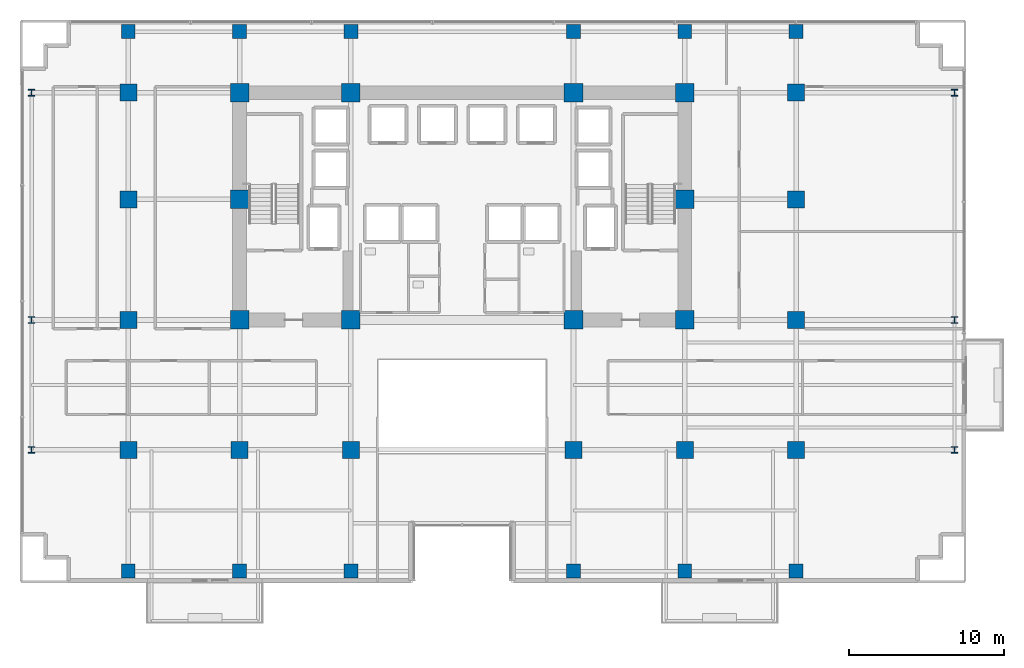
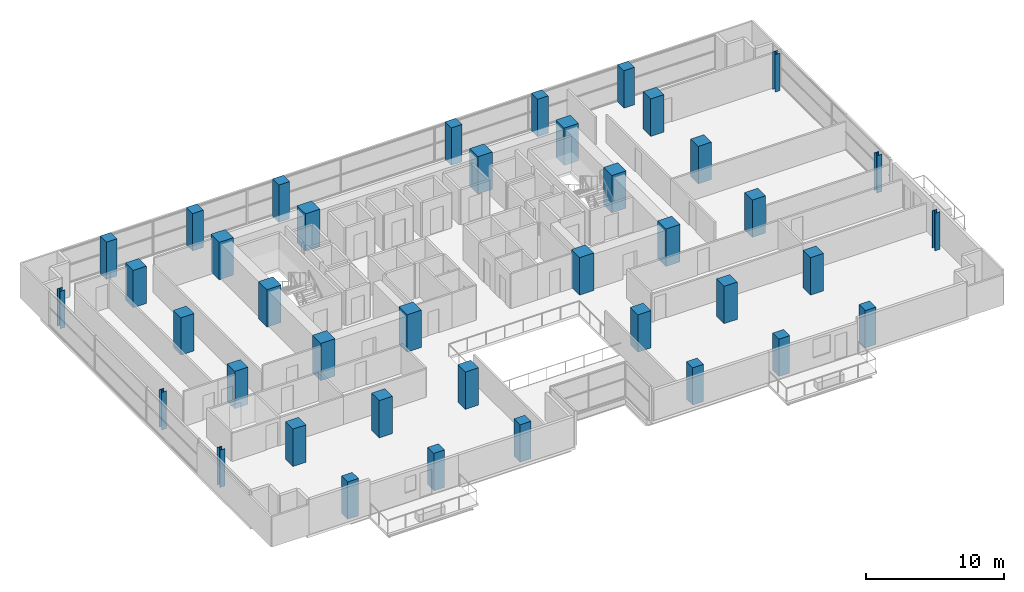
# One storey, part 1 of 26: 40 columns.
"""IFC4 building model written with IfcOpenShell, lengths in metres."""

from ifc_helpers import new_model, si_unit, direction, frame, origin, origin_2d, place, context, subcontext, project, spatial, rectangle, i_section, extrude, material, material_profile, profile_set, type_object, element, save


model = new_model("IFC4")

# Units and contexts
model_context = context("Model", 3, precision=1e-05, world=origin(), true_north=direction((0.0, 1.0)))
body_context = subcontext(model_context, "Body", "Model", "MODEL_VIEW")
ifc_project = project(units=[si_unit("LENGTHUNIT", "METRE"), si_unit("AREAUNIT", "SQUARE_METRE"), si_unit("VOLUMEUNIT", "CUBIC_METRE"), si_unit("PLANEANGLEUNIT", "RADIAN"), si_unit("MASSUNIT", "GRAM", prefix="KILO")], contexts=[model_context])

# Site, building, storey
site_placement = place(None, origin())
site = spatial("IfcSite", under=ifc_project, at=site_placement, CompositionType="ELEMENT")
building_placement = place(site_placement, origin())
building = spatial("IfcBuilding", under=site, at=building_placement, Name="Zarnakvel Exchange Tower", CompositionType="ELEMENT")
storey_placement = place(building_placement, frame((0.0, 0.0, 70.300048828125)))
storey = spatial("IfcBuildingStorey", under=building, at=storey_placement, Name="L19", CompositionType="ELEMENT", Elevation=70.300048828125)

# Columns
ifc_material_1 = material(Name="Concrete C80/95", Category="concrete")
ifc_material_profile_1 = material_profile(ifc_material_1, rectangle(XDim=1.199951171875, YDim=1.199951171875, at=origin_2d()))
ifc_profile_set_1 = profile_set([ifc_material_profile_1], Name="Concrete C80/95")
column_type_1 = type_object("IfcColumnType", Name="CC-01", PredefinedType="COLUMN", material=ifc_profile_set_1)
for number, where, z_axis, x_axis, name in (
    (1, (-14.39990234375, -1.199951171875, 0.0), (0.0, 0.0, 1.0), (1.0, 0.0, 0.0), "L19 Column C-4D (CC-01)"),
    (2, (-7.199951171875, -1.199951171875, 0.0), (0.0, 0.0, 1.0), (1.0, 0.0, 0.0), "L19 Column C-5D (CC-01)"),
    (3, (7.199951171875, -1.199951171875, 0.0), (0.0, 0.0, 1.0), (1.0, 0.0, 0.0), "L19 Column C-8D (CC-01)"),
    (4, (14.39990234375, -1.199951171875, 0.0), (0.0, 0.0, 1.0), (1.0, 0.0, 0.0), "L19 Column C-9D (CC-01)"),
    (5, (-14.39990234375, 6.60009765625, 0.0), (0.0, 0.0, 1.0), (1.0, 0.0, 0.0), "L19 Column C-4E (CC-01)"),
    (6, (14.39990234375, 6.60009765625, 0.0), (0.0, 0.0, 1.0), (1.0, 0.0, 0.0), "L19 Column C-9E (CC-01)"),
    (7, (-14.39990234375, 13.5, 0.0), (0.0, 0.0, 1.0), (1.0, 0.0, 0.0), "L19 Column C-4F (CC-01)"),
    (8, (-7.199951171875, 13.5, 0.0), (0.0, 0.0, 1.0), (1.0, 0.0, 0.0), "L19 Column C-5F (CC-01)"),
    (9, (7.199951171875, 13.5, 0.0), (0.0, 0.0, 1.0), (1.0, 0.0, 0.0), "L19 Column C-8F (CC-01)"),
    (10, (14.39990234375, 13.5, 0.0), (0.0, 0.0, 1.0), (1.0, 0.0, 0.0), "L19 Column C-9F (CC-01)"),
):
    element("IfcColumn", number, at=place(storey_placement, frame(where, z_axis=z_axis, x_axis=x_axis)), inside=storey, type_object=column_type_1, Name=name, PredefinedType="COLUMN", context=body_context, shape_type="SweptSolid", body=[
        extrude(rectangle(XDim=1.199951171875, YDim=1.199951171875, at=origin_2d()), origin(), (0.0, 0.0, 1.0), 3.300048828125),
    ])
ifc_material_2 = material(Name="Steel S355", Category="steel")
ifc_material_profile_2 = material_profile(ifc_material_2, i_section(OverallWidth=0.412109375, OverallDepth=0.425048828125, WebThickness=0.02587890625, FlangeThickness=0.0390625, FilletRadius=0.014892578125, at=origin_2d()))
ifc_profile_set_2 = profile_set([ifc_material_profile_2], Name="Steel S355")
column_type_2 = type_object("IfcColumnType", Name="SC-01", PredefinedType="COLUMN", material=ifc_profile_set_2)
for number, where, z_axis, x_axis, name in (
    (11, (-27.85009765625, -9.60009765625, 0.0), (0.0, 0.0, 1.0), (1.0, 0.0, 0.0), "L19 Column TW-C (SC-01)"),
    (12, (31.85009765625, -9.60009765625, 0.0), (0.0, 0.0, 1.0), (1.0, 0.0, 0.0), "L19 Column TE-C (SC-01)"),
    (13, (-27.85009765625, -1.199951171875, 0.0), (0.0, 0.0, 1.0), (1.0, 0.0, 0.0), "L19 Column TW-D (SC-01)"),
    (14, (31.85009765625, -1.199951171875, 0.0), (0.0, 0.0, 1.0), (1.0, 0.0, 0.0), "L19 Column TE-D (SC-01)"),
    (15, (-27.85009765625, 13.5, 0.0), (0.0, 0.0, 1.0), (1.0, 0.0, 0.0), "L19 Column TW-F (SC-01)"),
    (16, (31.85009765625, 13.5, 0.0), (0.0, 0.0, 1.0), (1.0, 0.0, 0.0), "L19 Column TE-F (SC-01)"),
):
    element("IfcColumn", number, at=place(storey_placement, frame(where, z_axis=z_axis, x_axis=x_axis)), inside=storey, type_object=column_type_2, Name=name, PredefinedType="COLUMN", context=body_context, shape_type="SweptSolid", body=[
        extrude(i_section(OverallWidth=0.412109375, OverallDepth=0.425048828125, WebThickness=0.02587890625, FlangeThickness=0.0390625, FilletRadius=0.014892578125, at=origin_2d()), origin(), (0.0, 0.0, 1.0), 3.300048828125),
    ])
ifc_material_profile_3 = material_profile(ifc_material_1, rectangle(XDim=1.10009765625, YDim=1.10009765625, at=origin_2d()))
ifc_profile_set_3 = profile_set([ifc_material_profile_3], Name="Concrete C80/95")
column_type_3 = type_object("IfcColumnType", Name="TC-01", PredefinedType="COLUMN", material=ifc_profile_set_3)
for number, where, z_axis, x_axis, name in (
    (17, (-14.39990234375, -9.60009765625, 0.0), (0.0, 0.0, 1.0), (1.0, 0.0, 0.0), "L19 Column T-4C (TC-01)"),
    (18, (-7.199951171875, -9.60009765625, 0.0), (0.0, 0.0, 1.0), (1.0, 0.0, 0.0), "L19 Column T-5C (TC-01)"),
    (19, (7.199951171875, -9.60009765625, 0.0), (0.0, 0.0, 1.0), (1.0, 0.0, 0.0), "L19 Column T-8C (TC-01)"),
    (20, (14.39990234375, -9.60009765625, 0.0), (0.0, 0.0, 1.0), (1.0, 0.0, 0.0), "L19 Column T-9C (TC-01)"),
    (21, (-21.60009765625, -9.60009765625, 0.0), (0.0, 0.0, 1.0), (1.0, 0.0, 0.0), "L19 Column T-3C (TC-01)"),
    (22, (-21.60009765625, -1.199951171875, 0.0), (0.0, 0.0, 1.0), (1.0, 0.0, 0.0), "L19 Column T-3D (TC-01)"),
    (23, (-21.60009765625, 6.60009765625, 0.0), (0.0, 0.0, 1.0), (1.0, 0.0, 0.0), "L19 Column T-3E (TC-01)"),
    (24, (-21.60009765625, 13.5, 0.0), (0.0, 0.0, 1.0), (1.0, 0.0, 0.0), "L19 Column T-3F (TC-01)"),
    (25, (21.60009765625, -9.60009765625, 0.0), (0.0, 0.0, 1.0), (1.0, 0.0, 0.0), "L19 Column T-10C (TC-01)"),
    (26, (21.60009765625, -1.199951171875, 0.0), (0.0, 0.0, 1.0), (1.0, 0.0, 0.0), "L19 Column T-10D (TC-01)"),
    (27, (21.60009765625, 6.60009765625, 0.0), (0.0, 0.0, 1.0), (1.0, 0.0, 0.0), "L19 Column T-10E (TC-01)"),
    (28, (21.60009765625, 13.5, 0.0), (0.0, 0.0, 1.0), (1.0, 0.0, 0.0), "L19 Column T-10F (TC-01)"),
):
    element("IfcColumn", number, at=place(storey_placement, frame(where, z_axis=z_axis, x_axis=x_axis)), inside=storey, type_object=column_type_3, Name=name, PredefinedType="COLUMN", context=body_context, shape_type="SweptSolid", body=[
        extrude(rectangle(XDim=1.10009765625, YDim=1.10009765625, at=origin_2d()), origin(), (0.0, 0.0, 1.0), 3.300048828125),
    ])
ifc_material_3 = material(Name="Concrete C60/75", Category="concrete")
ifc_material_profile_4 = material_profile(ifc_material_3, rectangle(XDim=0.89990234375, YDim=0.89990234375, at=origin_2d()))
ifc_profile_set_4 = profile_set([ifc_material_profile_4], Name="Concrete C60/75")
column_type_4 = type_object("IfcColumnType", Name="TC-02", PredefinedType="COLUMN", material=ifc_profile_set_4)
for number, where, z_axis, x_axis, name in (
    (29, (-14.39990234375, -17.449951171875, 0.0), (0.0, 0.0, 1.0), (1.0, 0.0, 0.0), "L19 Column TS-4 (TC-02)"),
    (30, (-14.39990234375, 17.449951171875, 0.0), (0.0, 0.0, 1.0), (1.0, 0.0, 0.0), "L19 Column TN-4 (TC-02)"),
    (31, (-7.199951171875, -17.449951171875, 0.0), (0.0, 0.0, 1.0), (1.0, 0.0, 0.0), "L19 Column TS-5 (TC-02)"),
    (32, (-7.199951171875, 17.449951171875, 0.0), (0.0, 0.0, 1.0), (1.0, 0.0, 0.0), "L19 Column TN-5 (TC-02)"),
    (33, (7.199951171875, -17.449951171875, 0.0), (0.0, 0.0, 1.0), (1.0, 0.0, 0.0), "L19 Column TS-8 (TC-02)"),
    (34, (7.199951171875, 17.449951171875, 0.0), (0.0, 0.0, 1.0), (1.0, 0.0, 0.0), "L19 Column TN-8 (TC-02)"),
    (35, (14.39990234375, -17.449951171875, 0.0), (0.0, 0.0, 1.0), (1.0, 0.0, 0.0), "L19 Column TS-9 (TC-02)"),
    (36, (14.39990234375, 17.449951171875, 0.0), (0.0, 0.0, 1.0), (1.0, 0.0, 0.0), "L19 Column TN-9 (TC-02)"),
    (37, (-21.60009765625, -17.449951171875, 0.0), (0.0, 0.0, 1.0), (1.0, 0.0, 0.0), "L19 Column TS-3 (TC-02)"),
    (38, (-21.60009765625, 17.449951171875, 0.0), (0.0, 0.0, 1.0), (1.0, 0.0, 0.0), "L19 Column TN-3 (TC-02)"),
    (39, (21.60009765625, -17.449951171875, 0.0), (0.0, 0.0, 1.0), (1.0, 0.0, 0.0), "L19 Column TS-10 (TC-02)"),
    (40, (21.60009765625, 17.449951171875, 0.0), (0.0, 0.0, 1.0), (1.0, 0.0, 0.0), "L19 Column TN-10 (TC-02)"),
):
    element("IfcColumn", number, at=place(storey_placement, frame(where, z_axis=z_axis, x_axis=x_axis)), inside=storey, type_object=column_type_4, Name=name, PredefinedType="COLUMN", context=body_context, shape_type="SweptSolid", body=[
        extrude(rectangle(XDim=0.89990234375, YDim=0.89990234375, at=origin_2d()), origin(), (0.0, 0.0, 1.0), 3.300048828125),
    ])

save(model, "model.ifc")
